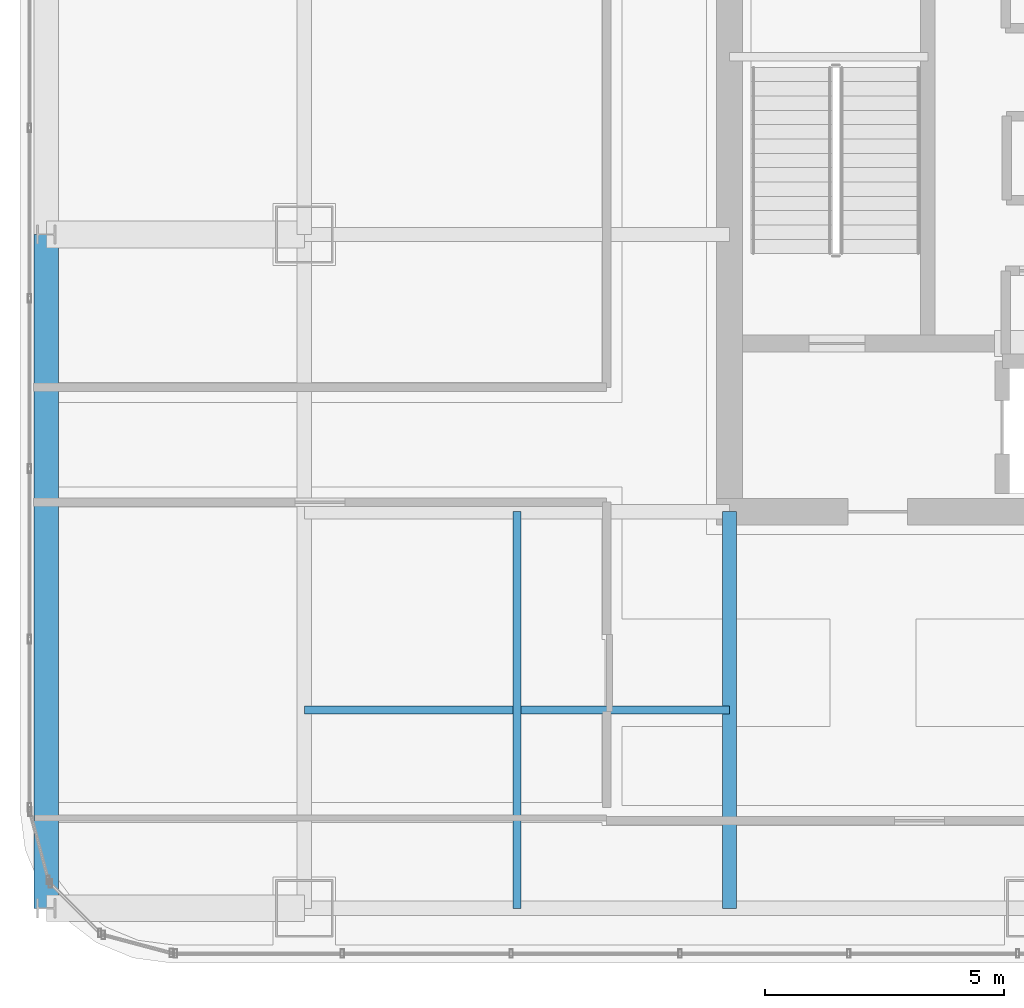
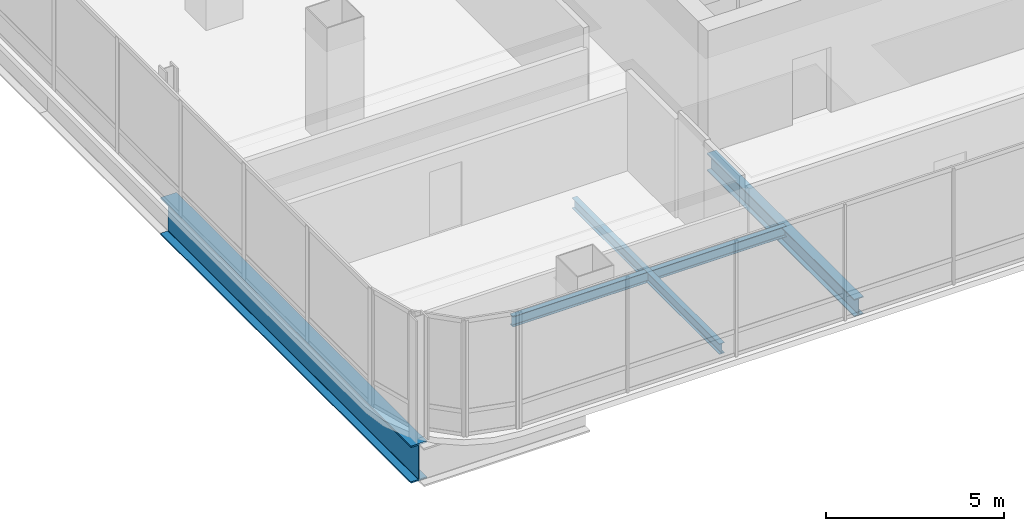
# One storey, part 4 of 41: 4 beams.
"""IFC4 building model written with IfcOpenShell, lengths in metres."""

from ifc_helpers import new_model, si_unit, direction, frame, origin, origin_2d, place, context, subcontext, project, spatial, i_section, extrude, material, material_profile, profile_set, type_object, element, save


model = new_model("IFC4")

# Units and contexts
model_context = context("Model", 3, precision=1e-05, world=origin(), true_north=direction((0.0, 1.0)))
body_context = subcontext(model_context, "Body", "Model", "MODEL_VIEW")
ifc_project = project(units=[si_unit("LENGTHUNIT", "METRE"), si_unit("AREAUNIT", "SQUARE_METRE"), si_unit("VOLUMEUNIT", "CUBIC_METRE"), si_unit("PLANEANGLEUNIT", "RADIAN"), si_unit("MASSUNIT", "GRAM", prefix="KILO")], contexts=[model_context])

# Site, building, storey
site_placement = place(None, origin())
site = spatial("IfcSite", under=ifc_project, at=site_placement, CompositionType="ELEMENT")
building_placement = place(site_placement, origin())
building = spatial("IfcBuilding", under=site, at=building_placement, Name="Punatoya Terracotta Tower", CompositionType="ELEMENT")
storey_placement = place(building_placement, frame((0.0, 0.0, 288.0)))
storey = spatial("IfcBuildingStorey", under=building, at=storey_placement, Name="L68", CompositionType="ELEMENT", Elevation=288.0)

# Beams
ifc_material_1 = material(Name="Steel S355", Category="steel")
ifc_material_profile_1 = material_profile(ifc_material_1, i_section(OverallWidth=0.300048828125, OverallDepth=0.60009765625, WebThickness=0.015380859375, FlangeThickness=0.030029296875, FilletRadius=0.01806640625, at=origin_2d()))
ifc_profile_set_1 = profile_set([ifc_material_profile_1], Name="Steel S355")
beam_type_1 = type_object("IfcBeamType", Name="BM-PRI-600", PredefinedType="BEAM", material=ifc_profile_set_1)
beam_1_placement = place(storey_placement, frame((-10.199951171875, -17.5, -0.5), z_axis=(0.0, 1.0, 0.0), x_axis=(-1.0, 0.0, 0.0)))
element("IfcBeam", 1, at=beam_1_placement, inside=storey, type_object=beam_type_1, Name="BM-L68-PR-S1", PredefinedType="BEAM", context=body_context, shape_type="SweptSolid", body=[
    extrude(i_section(OverallWidth=0.300048828125, OverallDepth=0.60009765625, WebThickness=0.015380859375, FlangeThickness=0.030029296875, FilletRadius=0.01806640625, at=origin_2d()), origin(), (0.0, 0.0, 1.0), 8.300048828125),
])
ifc_material_profile_2 = material_profile(ifc_material_1, i_section(OverallWidth=0.169921875, OverallDepth=0.360107421875, WebThickness=0.008056640625, FlangeThickness=0.0126953125, FilletRadius=0.01806640625, at=origin_2d()))
ifc_profile_set_2 = profile_set([ifc_material_profile_2], Name="Steel S355")
beam_type_2 = type_object("IfcBeamType", Name="BM-SEC-360", PredefinedType="JOIST", material=ifc_profile_set_2)
beam_2_placement = place(storey_placement, frame((-19.10009765625, -13.35009765625, -0.3798828125), z_axis=(1.0, 0.0, 0.0), x_axis=(0.0, 1.0, 0.0)))
element("IfcBeam", 2, at=beam_2_placement, inside=storey, type_object=beam_type_2, Name="BM-L68-SJS-1", PredefinedType="JOIST", context=body_context, shape_type="SweptSolid", body=[
    extrude(i_section(OverallWidth=0.169921875, OverallDepth=0.360107421875, WebThickness=0.008056640625, FlangeThickness=0.0126953125, FilletRadius=0.01806640625, at=origin_2d()), origin(), (0.0, 0.0, 1.0), 8.900146484375),
])
beam_3_placement = place(storey_placement, frame((-14.64990234375, -17.5, -0.3798828125), z_axis=(0.0, 1.0, 0.0), x_axis=(-1.0, 0.0, 0.0)))
element("IfcBeam", 3, at=beam_3_placement, inside=storey, type_object=beam_type_2, Name="BM-L68-SJW-1", PredefinedType="JOIST", context=body_context, shape_type="SweptSolid", body=[
    extrude(i_section(OverallWidth=0.169921875, OverallDepth=0.360107421875, WebThickness=0.008056640625, FlangeThickness=0.0126953125, FilletRadius=0.01806640625, at=origin_2d()), origin(), (0.0, 0.0, 1.0), 8.300048828125),
])
ifc_material_2 = material(Name="Steel S460", Category="steel")
ifc_material_profile_3 = material_profile(ifc_material_2, i_section(OverallWidth=0.52001953125, OverallDepth=1.280029296875, WebThickness=0.031982421875, FlangeThickness=0.050048828125, FilletRadius=0.01806640625, at=origin_2d()))
ifc_profile_set_3 = profile_set([ifc_material_profile_3], Name="Steel S460")
beam_type_3 = type_object("IfcBeamType", Name="BM-TG-NCK", PredefinedType="BEAM", material=ifc_profile_set_3)
beam_4_placement = place(storey_placement, frame((-24.5, -17.5, -0.840087890625), z_axis=(0.0, 1.0, 0.0), x_axis=(-1.0, 0.0, 0.0)))
element("IfcBeam", 4, at=beam_4_placement, inside=storey, type_object=beam_type_3, Name="BM-L68-PER-W1", PredefinedType="BEAM", context=body_context, shape_type="SweptSolid", body=[
    extrude(i_section(OverallWidth=0.52001953125, OverallDepth=1.280029296875, WebThickness=0.031982421875, FlangeThickness=0.050048828125, FilletRadius=0.01806640625, at=origin_2d()), origin(), (0.0, 0.0, 1.0), 14.10009765625),
])

save(model, "model.ifc")
